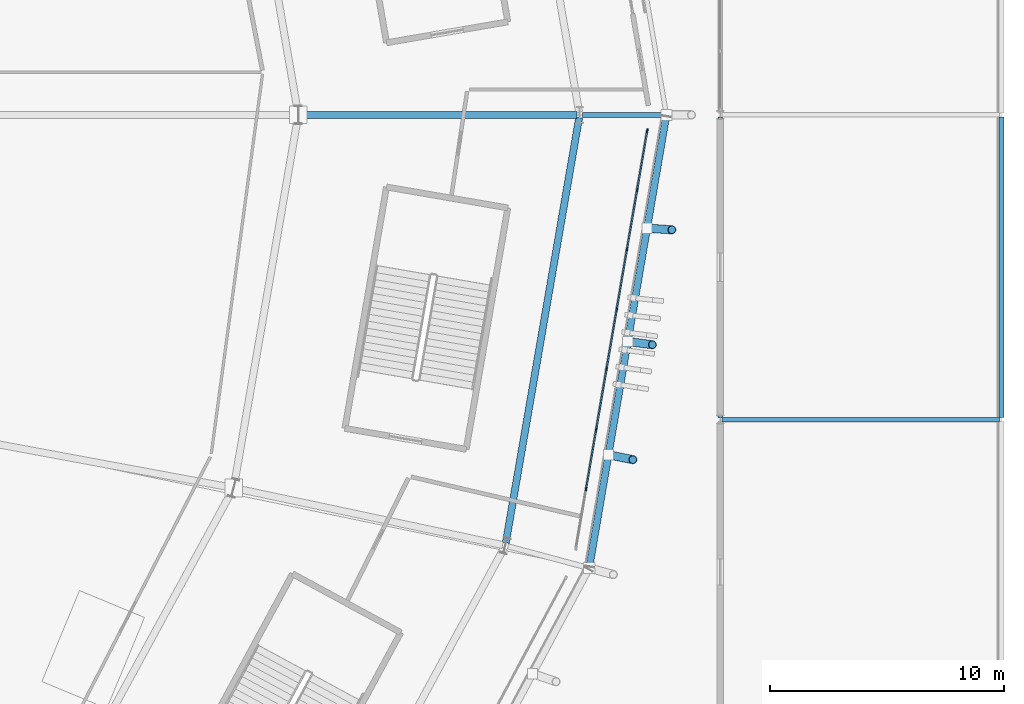
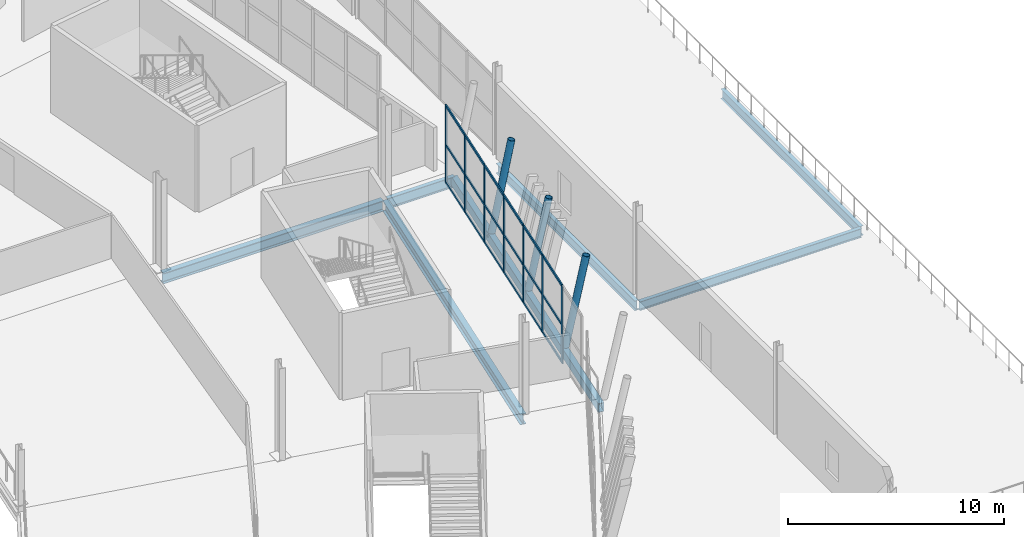
# One storey, part 59 of 168: 28 members, 7 beams, 1 element without a shape of its own.
"""IFC4 building model written with IfcOpenShell, lengths in metres."""

from ifc_helpers import new_model, si_unit, direction, frame, origin, origin_2d, place, context, subcontext, project, spatial, rectangle, hollow_rectangle, hollow_circle, i_section, extrude, material, material_profile, profile_set, type_object, element, aggregate, save


model = new_model("IFC4")

# Units and contexts
model_context = context("Model", 3, precision=1e-05, world=origin(), true_north=direction((0.0, 1.0)))
body_context = subcontext(model_context, "Body", "Model", "MODEL_VIEW")
ifc_project = project(units=[si_unit("LENGTHUNIT", "METRE"), si_unit("AREAUNIT", "SQUARE_METRE"), si_unit("VOLUMEUNIT", "CUBIC_METRE"), si_unit("PLANEANGLEUNIT", "RADIAN"), si_unit("MASSUNIT", "GRAM", prefix="KILO")], contexts=[model_context])

# Site, building, storey
site_placement = place(None, origin())
site = spatial("IfcSite", under=ifc_project, at=site_placement, CompositionType="ELEMENT")
building_placement = place(site_placement, origin())
building = spatial("IfcBuilding", under=site, at=building_placement, Name="Zlatoyarsky Gate Stadium", CompositionType="ELEMENT")
storey_placement = place(building_placement, frame((0.0, 0.0, 15.60009765625)))
storey = spatial("IfcBuildingStorey", under=building, at=storey_placement, Name="L03", CompositionType="ELEMENT", Elevation=15.60009765625)

# Curtain wall, members
ifc_material_1 = material(Name="Thermally broken anodised aluminium curtain wall", Category="aluminium")
curtain_wall_type = type_object("IfcCurtainWallType", Name="UNITISED CORPORATE BOX GLAZING L03", PredefinedType="USERDEFINED", material=ifc_material_1)
curtain_wall_placement = place(storey_placement, origin())
curtain_wall = element("IfcCurtainWall", 1, at=curtain_wall_placement, inside=storey, type_object=curtain_wall_type, Name="Curtain wall CW-L03-23", ObjectType="UNITISED GLAZING", PredefinedType="USERDEFINED")
ifc_material_2 = material(Name="Anodised aluminium 6063-T6", Category="aluminium")
ifc_material_profile_1 = material_profile(ifc_material_2, rectangle(XDim=0.06494140625, YDim=0.159912109375, at=origin_2d()), Name="ALU 65X160")
ifc_profile_set_1 = profile_set([ifc_material_profile_1], Name="Anodised aluminium 6063-T6")
member_type_1 = type_object("IfcMemberType", Name="ALUMINIUM MULLION 65X160", PredefinedType="MULLION", material=ifc_profile_set_1)
member_1_placement = place(storey_placement, frame((204.2763671875, 64.04052734375, 0.0), z_axis=(0.0, 0.0, 1.0), x_axis=(-0.985726202408, 0.168356330104, 0.0)))
member_1 = element("IfcMember", 2, at=member_1_placement, type_object=member_type_1, Name="CW-UG3 mullion 2", PredefinedType="MULLION", context=body_context, shape_type="SweptSolid", body=[
    extrude(rectangle(XDim=0.06494140625, YDim=0.159912109375, at=origin_2d()), origin(), (0.0, 0.0, 1.0), 4.3798828125),
])
member_2_placement = place(storey_placement, frame((204.71240234375, 66.59375, 0.0), z_axis=(0.0, 0.0, 1.0), x_axis=(-0.985726202408, 0.168356330104, 0.0)))
member_2 = element("IfcMember", 3, at=member_2_placement, type_object=member_type_1, Name="CW-UG3 mullion 3", PredefinedType="MULLION", context=body_context, shape_type="SweptSolid", body=[
    extrude(rectangle(XDim=0.06494140625, YDim=0.159912109375, at=origin_2d()), origin(), (0.0, 0.0, 1.0), 4.3798828125),
])
member_3_placement = place(storey_placement, frame((205.148681640625, 69.146728515625, 0.0), z_axis=(0.0, 0.0, 1.0), x_axis=(-0.985726202408, 0.168356330104, 0.0)))
member_3 = element("IfcMember", 4, at=member_3_placement, type_object=member_type_1, Name="CW-UG3 mullion 4", PredefinedType="MULLION", context=body_context, shape_type="SweptSolid", body=[
    extrude(rectangle(XDim=0.06494140625, YDim=0.159912109375, at=origin_2d()), origin(), (0.0, 0.0, 1.0), 4.3798828125),
])
member_4_placement = place(storey_placement, frame((205.584716796875, 71.699951171875, 0.0), z_axis=(0.0, 0.0, 1.0), x_axis=(-0.985726202408, 0.168356330104, 0.0)))
member_4 = element("IfcMember", 5, at=member_4_placement, type_object=member_type_1, Name="CW-UG3 mullion 5", PredefinedType="MULLION", context=body_context, shape_type="SweptSolid", body=[
    extrude(rectangle(XDim=0.06494140625, YDim=0.159912109375, at=origin_2d()), origin(), (0.0, 0.0, 1.0), 4.3798828125),
])
member_5_placement = place(storey_placement, frame((206.020751953125, 74.253173828125, 0.0), z_axis=(0.0, 0.0, 1.0), x_axis=(-0.985726202408, 0.168356330104, 0.0)))
member_5 = element("IfcMember", 6, at=member_5_placement, type_object=member_type_1, Name="CW-UG3 mullion 6", PredefinedType="MULLION", context=body_context, shape_type="SweptSolid", body=[
    extrude(rectangle(XDim=0.06494140625, YDim=0.159912109375, at=origin_2d()), origin(), (0.0, 0.0, 1.0), 4.3798828125),
])
member_6_placement = place(storey_placement, frame((206.456787109375, 76.80615234375, 0.0), z_axis=(0.0, 0.0, 1.0), x_axis=(-0.985726202408, 0.168356330104, 0.0)))
member_6 = element("IfcMember", 7, at=member_6_placement, type_object=member_type_1, Name="CW-UG3 mullion 7", PredefinedType="MULLION", context=body_context, shape_type="SweptSolid", body=[
    extrude(rectangle(XDim=0.06494140625, YDim=0.159912109375, at=origin_2d()), origin(), (0.0, 0.0, 1.0), 4.3798828125),
])
member_7_placement = place(storey_placement, frame((206.88720703125, 79.3271484375, 0.0), z_axis=(0.0, 0.0, 1.0), x_axis=(-0.985726202408, 0.168356330104, 0.0)))
member_7 = element("IfcMember", 8, at=member_7_placement, type_object=member_type_1, Name="CW-UG3 mullion 8", PredefinedType="MULLION", context=body_context, shape_type="SweptSolid", body=[
    extrude(rectangle(XDim=0.06494140625, YDim=0.159912109375, at=origin_2d()), origin(), (0.0, 0.0, 1.0), 4.3798828125),
])
ifc_material_profile_2 = material_profile(ifc_material_2, rectangle(XDim=0.06494140625, YDim=0.139892578125, at=origin_2d()), Name="ALU 65X140")
ifc_profile_set_2 = profile_set([ifc_material_profile_2], Name="Anodised aluminium 6063-T6")
member_type_2 = type_object("IfcMemberType", Name="ALUMINIUM TRANSOM 65X140", PredefinedType="USERDEFINED", material=ifc_profile_set_2)
member_8_placement = place(storey_placement, frame((204.281982421875, 64.07275390625, 0.032470703125), z_axis=(0.168333125822, 0.985730165284, 0.0), x_axis=(-0.985730165284, 0.168333125822, 0.0)))
member_8 = element("IfcMember", 9, at=member_8_placement, type_object=member_type_2, Name="CW-UG3 transom 2.1", ObjectType="TRANSOM", PredefinedType="USERDEFINED", context=body_context, shape_type="SweptSolid", body=[
    extrude(rectangle(XDim=0.06494140625, YDim=0.139892578125, at=origin_2d()), origin(), (0.0, 0.0, 1.0), 2.525146484375),
])
member_9_placement = place(storey_placement, frame((204.281982421875, 64.07275390625, 2.14990234375), z_axis=(0.168333125822, 0.985730165284, 0.0), x_axis=(-0.985730165284, 0.168333125822, 0.0)))
member_9 = element("IfcMember", 10, at=member_9_placement, type_object=member_type_2, Name="CW-UG3 transom 2.2", ObjectType="TRANSOM", PredefinedType="USERDEFINED", context=body_context, shape_type="SweptSolid", body=[
    extrude(rectangle(XDim=0.06494140625, YDim=0.139892578125, at=origin_2d()), origin(), (0.0, 0.0, 1.0), 2.525146484375),
])
member_10_placement = place(storey_placement, frame((204.281982421875, 64.07275390625, 4.347412109375), z_axis=(0.168333125822, 0.985730165284, 0.0), x_axis=(-0.985730165284, 0.168333125822, 0.0)))
member_10 = element("IfcMember", 11, at=member_10_placement, type_object=member_type_2, Name="CW-UG3 transom 2.3", ObjectType="TRANSOM", PredefinedType="USERDEFINED", context=body_context, shape_type="SweptSolid", body=[
    extrude(rectangle(XDim=0.06494140625, YDim=0.139892578125, at=origin_2d()), origin(), (0.0, 0.0, 1.0), 2.525146484375),
])
member_11_placement = place(storey_placement, frame((204.718017578125, 66.625732421875, 0.032470703125), z_axis=(0.168333125822, 0.985730165284, 0.0), x_axis=(-0.985730165284, 0.168333125822, 0.0)))
member_11 = element("IfcMember", 12, at=member_11_placement, type_object=member_type_2, Name="CW-UG3 transom 3.1", ObjectType="TRANSOM", PredefinedType="USERDEFINED", context=body_context, shape_type="SweptSolid", body=[
    extrude(rectangle(XDim=0.06494140625, YDim=0.139892578125, at=origin_2d()), origin(), (0.0, 0.0, 1.0), 2.525146484375),
])
member_12_placement = place(storey_placement, frame((204.718017578125, 66.625732421875, 2.14990234375), z_axis=(0.168333125822, 0.985730165284, 0.0), x_axis=(-0.985730165284, 0.168333125822, 0.0)))
member_12 = element("IfcMember", 13, at=member_12_placement, type_object=member_type_2, Name="CW-UG3 transom 3.2", ObjectType="TRANSOM", PredefinedType="USERDEFINED", context=body_context, shape_type="SweptSolid", body=[
    extrude(rectangle(XDim=0.06494140625, YDim=0.139892578125, at=origin_2d()), origin(), (0.0, 0.0, 1.0), 2.525146484375),
])
member_13_placement = place(storey_placement, frame((204.718017578125, 66.625732421875, 4.347412109375), z_axis=(0.168333125822, 0.985730165284, 0.0), x_axis=(-0.985730165284, 0.168333125822, 0.0)))
member_13 = element("IfcMember", 14, at=member_13_placement, type_object=member_type_2, Name="CW-UG3 transom 3.3", ObjectType="TRANSOM", PredefinedType="USERDEFINED", context=body_context, shape_type="SweptSolid", body=[
    extrude(rectangle(XDim=0.06494140625, YDim=0.139892578125, at=origin_2d()), origin(), (0.0, 0.0, 1.0), 2.525146484375),
])
member_14_placement = place(storey_placement, frame((205.154052734375, 69.178955078125, 0.032470703125), z_axis=(0.168333125822, 0.985730165284, 0.0), x_axis=(-0.985730165284, 0.168333125822, 0.0)))
member_14 = element("IfcMember", 15, at=member_14_placement, type_object=member_type_2, Name="CW-UG3 transom 4.1", ObjectType="TRANSOM", PredefinedType="USERDEFINED", context=body_context, shape_type="SweptSolid", body=[
    extrude(rectangle(XDim=0.06494140625, YDim=0.139892578125, at=origin_2d()), origin(), (0.0, 0.0, 1.0), 2.525146484375),
])
member_15_placement = place(storey_placement, frame((205.154052734375, 69.178955078125, 2.14990234375), z_axis=(0.168333125822, 0.985730165284, 0.0), x_axis=(-0.985730165284, 0.168333125822, 0.0)))
member_15 = element("IfcMember", 16, at=member_15_placement, type_object=member_type_2, Name="CW-UG3 transom 4.2", ObjectType="TRANSOM", PredefinedType="USERDEFINED", context=body_context, shape_type="SweptSolid", body=[
    extrude(rectangle(XDim=0.06494140625, YDim=0.139892578125, at=origin_2d()), origin(), (0.0, 0.0, 1.0), 2.525146484375),
])
member_16_placement = place(storey_placement, frame((205.154052734375, 69.178955078125, 4.347412109375), z_axis=(0.168333125822, 0.985730165284, 0.0), x_axis=(-0.985730165284, 0.168333125822, 0.0)))
member_16 = element("IfcMember", 17, at=member_16_placement, type_object=member_type_2, Name="CW-UG3 transom 4.3", ObjectType="TRANSOM", PredefinedType="USERDEFINED", context=body_context, shape_type="SweptSolid", body=[
    extrude(rectangle(XDim=0.06494140625, YDim=0.139892578125, at=origin_2d()), origin(), (0.0, 0.0, 1.0), 2.525146484375),
])
member_17_placement = place(storey_placement, frame((205.590087890625, 71.73193359375, 0.032470703125), z_axis=(0.168333125822, 0.985730165284, 0.0), x_axis=(-0.985730165284, 0.168333125822, 0.0)))
member_17 = element("IfcMember", 18, at=member_17_placement, type_object=member_type_2, Name="CW-UG3 transom 5.1", ObjectType="TRANSOM", PredefinedType="USERDEFINED", context=body_context, shape_type="SweptSolid", body=[
    extrude(rectangle(XDim=0.06494140625, YDim=0.139892578125, at=origin_2d()), origin(), (0.0, 0.0, 1.0), 2.525146484375),
])
member_18_placement = place(storey_placement, frame((205.590087890625, 71.73193359375, 2.14990234375), z_axis=(0.168333125822, 0.985730165284, 0.0), x_axis=(-0.985730165284, 0.168333125822, 0.0)))
member_18 = element("IfcMember", 19, at=member_18_placement, type_object=member_type_2, Name="CW-UG3 transom 5.2", ObjectType="TRANSOM", PredefinedType="USERDEFINED", context=body_context, shape_type="SweptSolid", body=[
    extrude(rectangle(XDim=0.06494140625, YDim=0.139892578125, at=origin_2d()), origin(), (0.0, 0.0, 1.0), 2.525146484375),
])
member_19_placement = place(storey_placement, frame((205.590087890625, 71.73193359375, 4.347412109375), z_axis=(0.168333125822, 0.985730165284, 0.0), x_axis=(-0.985730165284, 0.168333125822, 0.0)))
member_19 = element("IfcMember", 20, at=member_19_placement, type_object=member_type_2, Name="CW-UG3 transom 5.3", ObjectType="TRANSOM", PredefinedType="USERDEFINED", context=body_context, shape_type="SweptSolid", body=[
    extrude(rectangle(XDim=0.06494140625, YDim=0.139892578125, at=origin_2d()), origin(), (0.0, 0.0, 1.0), 2.525146484375),
])
member_20_placement = place(storey_placement, frame((206.026123046875, 74.28515625, 0.032470703125), z_axis=(0.168333125822, 0.985730165284, 0.0), x_axis=(-0.985730165284, 0.168333125822, 0.0)))
member_20 = element("IfcMember", 21, at=member_20_placement, type_object=member_type_2, Name="CW-UG3 transom 6.1", ObjectType="TRANSOM", PredefinedType="USERDEFINED", context=body_context, shape_type="SweptSolid", body=[
    extrude(rectangle(XDim=0.06494140625, YDim=0.139892578125, at=origin_2d()), origin(), (0.0, 0.0, 1.0), 2.525146484375),
])
member_21_placement = place(storey_placement, frame((206.026123046875, 74.28515625, 2.14990234375), z_axis=(0.168333125822, 0.985730165284, 0.0), x_axis=(-0.985730165284, 0.168333125822, 0.0)))
member_21 = element("IfcMember", 22, at=member_21_placement, type_object=member_type_2, Name="CW-UG3 transom 6.2", ObjectType="TRANSOM", PredefinedType="USERDEFINED", context=body_context, shape_type="SweptSolid", body=[
    extrude(rectangle(XDim=0.06494140625, YDim=0.139892578125, at=origin_2d()), origin(), (0.0, 0.0, 1.0), 2.525146484375),
])
member_22_placement = place(storey_placement, frame((206.026123046875, 74.28515625, 4.347412109375), z_axis=(0.168333125822, 0.985730165284, 0.0), x_axis=(-0.985730165284, 0.168333125822, 0.0)))
member_22 = element("IfcMember", 23, at=member_22_placement, type_object=member_type_2, Name="CW-UG3 transom 6.3", ObjectType="TRANSOM", PredefinedType="USERDEFINED", context=body_context, shape_type="SweptSolid", body=[
    extrude(rectangle(XDim=0.06494140625, YDim=0.139892578125, at=origin_2d()), origin(), (0.0, 0.0, 1.0), 2.525146484375),
])
member_23_placement = place(storey_placement, frame((206.462158203125, 76.838134765625, 0.032470703125), z_axis=(0.168368421293, 0.985724137227, 0.0), x_axis=(-0.985724137227, 0.168368421293, 0.0)))
member_23 = element("IfcMember", 24, at=member_23_placement, type_object=member_type_2, Name="CW-UG3 transom 7.1", ObjectType="TRANSOM", PredefinedType="USERDEFINED", context=body_context, shape_type="SweptSolid", body=[
    extrude(rectangle(XDim=0.06494140625, YDim=0.139892578125, at=origin_2d()), origin(), (0.0, 0.0, 1.0), 2.49267578125),
])
member_24_placement = place(storey_placement, frame((206.462158203125, 76.838134765625, 2.14990234375), z_axis=(0.168368421293, 0.985724137227, 0.0), x_axis=(-0.985724137227, 0.168368421293, 0.0)))
member_24 = element("IfcMember", 25, at=member_24_placement, type_object=member_type_2, Name="CW-UG3 transom 7.2", ObjectType="TRANSOM", PredefinedType="USERDEFINED", context=body_context, shape_type="SweptSolid", body=[
    extrude(rectangle(XDim=0.06494140625, YDim=0.139892578125, at=origin_2d()), origin(), (0.0, 0.0, 1.0), 2.49267578125),
])
member_25_placement = place(storey_placement, frame((206.462158203125, 76.838134765625, 4.347412109375), z_axis=(0.168368421293, 0.985724137227, 0.0), x_axis=(-0.985724137227, 0.168368421293, 0.0)))
member_25 = element("IfcMember", 26, at=member_25_placement, type_object=member_type_2, Name="CW-UG3 transom 7.3", ObjectType="TRANSOM", PredefinedType="USERDEFINED", context=body_context, shape_type="SweptSolid", body=[
    extrude(rectangle(XDim=0.06494140625, YDim=0.139892578125, at=origin_2d()), origin(), (0.0, 0.0, 1.0), 2.49267578125),
])
aggregate(curtain_wall, [member_1, member_2, member_3, member_4, member_5, member_6, member_7, member_8, member_9, member_10, member_11, member_12, member_13, member_14, member_15, member_16, member_17, member_18, member_19, member_20, member_21, member_22, member_23, member_24, member_25])

# Beams
ifc_material_3 = material(Name="Steel S355", Category="steel")
ifc_material_profile_3 = material_profile(ifc_material_3, i_section(OverallWidth=0.219970703125, OverallDepth=0.60009765625, WebThickness=0.011962890625, FlangeThickness=0.01904296875, FilletRadius=0.02392578125, at=origin_2d()), Name="IPE 600")
ifc_profile_set_3 = profile_set([ifc_material_profile_3], Name="Steel S355")
beam_type_1 = type_object("IfcBeamType", Name="STEEL CANTILEVER FLOOR BEAM IPE 600", PredefinedType="BEAM", material=ifc_profile_set_3)
beam_1_placement = place(storey_placement, frame((204.1201171875, 80.0, -0.580078125), z_axis=(1.0, 0.0, 0.0), x_axis=(0.0, 1.0, 0.0)))
element("IfcBeam", 27, at=beam_1_placement, inside=storey, type_object=beam_type_1, Name="Beam B-IPE600 BM-L03-OUT-00", PredefinedType="BEAM", context=body_context, shape_type="SweptSolid", body=[
    extrude(i_section(OverallWidth=0.219970703125, OverallDepth=0.60009765625, WebThickness=0.011962890625, FlangeThickness=0.01904296875, FilletRadius=0.02392578125, at=origin_2d()), origin(), (0.0, 0.0, 1.0), 3.58203125),
])
ifc_material_profile_4 = material_profile(ifc_material_3, i_section(OverallWidth=0.199951171875, OverallDepth=0.5, WebThickness=0.01025390625, FlangeThickness=0.01611328125, FilletRadius=0.02099609375, at=origin_2d()), Name="IPE 500")
ifc_profile_set_4 = profile_set([ifc_material_profile_4], Name="Steel S355")
beam_type_2 = type_object("IfcBeamType", Name="STEEL FLOOR BEAM IPE 500", PredefinedType="BEAM", material=ifc_profile_set_4)
beam_2_placement = place(storey_placement, frame((210.080078125, 67.0, -0.570068359375), z_axis=(1.0, 0.0, 0.0), x_axis=(0.0, 1.0, 0.0)))
element("IfcBeam", 28, at=beam_2_placement, inside=storey, type_object=beam_type_2, Name="Beam B-IPE500 BM-L03-WGX-18-G", PredefinedType="BEAM", context=body_context, shape_type="SweptSolid", body=[
    extrude(i_section(OverallWidth=0.199951171875, OverallDepth=0.5, WebThickness=0.01025390625, FlangeThickness=0.01611328125, FilletRadius=0.02099609375, at=origin_2d()), origin(), (0.0, 0.0, 1.0), 11.83984375),
])
ifc_material_profile_5 = material_profile(ifc_material_3, i_section(OverallWidth=0.2099609375, OverallDepth=0.550048828125, WebThickness=0.010986328125, FlangeThickness=0.01708984375, FilletRadius=0.02392578125, at=origin_2d()), Name="IPE 550")
ifc_profile_set_5 = profile_set([ifc_material_profile_5], Name="Steel S355")
beam_type_3 = type_object("IfcBeamType", Name="STEEL FLOOR BEAM IPE 550", PredefinedType="BEAM", material=ifc_profile_set_5)
for number, where, z_axis, x_axis, name in (
    (29, (210.0, 67.080078125, -0.59521484375), (0.0, 1.0, 0.0), (-1.0, 0.0, 0.0), "Beam B-IPE550 BM-L03-WGY-18-G"),
    (30, (222.0, 67.080078125, -0.59521484375), (0.0, 1.0, 0.0), (-1.0, 0.0, 0.0), "Beam B-IPE550 BM-L03-WGY-19-G"),
):
    element("IfcBeam", number, at=place(storey_placement, frame(where, z_axis=z_axis, x_axis=x_axis)), inside=storey, type_object=beam_type_3, Name=name, PredefinedType="BEAM", context=body_context, shape_type="SweptSolid", body=[
        extrude(i_section(OverallWidth=0.2099609375, OverallDepth=0.550048828125, WebThickness=0.010986328125, FlangeThickness=0.01708984375, FilletRadius=0.02392578125, at=origin_2d()), origin(), (0.0, 0.0, 1.0), 12.83984375),
    ])

# Members
ifc_material_profile_6 = material_profile(ifc_material_3, hollow_circle(Radius=0.177734375, WallThickness=0.02001953125, at=origin_2d()), Name="CHS 355.6X20")
ifc_profile_set_6 = profile_set([ifc_material_profile_6], Name="Steel S355")
member_type_3 = type_object("IfcMemberType", Name="STEEL LEANING RIB RING STRUT CHS 355.6X20", PredefinedType="STRUT", material=ifc_profile_set_6)
member_26_placement = place(storey_placement, frame((205.23095703125, 65.499267578125, -0.530029296875), z_axis=(0.196702339053, -0.039201945037, 0.979679231849), x_axis=(0.195452010217, 0.980713266813, 0.0)))
element("IfcMember", 31, at=member_26_placement, inside=storey, type_object=member_type_3, Name="Outward-leaning bowl louvre fin rib L03 23-1", PredefinedType="STRUT", context=body_context, shape_type="SweptSolid", body=[
    extrude(hollow_circle(Radius=0.177734375, WallThickness=0.02001953125, at=origin_2d()), origin(), (0.0, 0.0, 1.0), 5.287353515625),
])
member_27_placement = place(storey_placement, frame((206.0546875, 70.332763671875, -0.530029296875), z_axis=(0.198472880854, -0.026136726515, 0.979757820633), x_axis=(0.130561919254, 0.991440157166, 0.0)))
element("IfcMember", 32, at=member_27_placement, inside=storey, type_object=member_type_3, Name="Outward-leaning bowl louvre fin rib L03 23-2", PredefinedType="STRUT", context=body_context, shape_type="SweptSolid", body=[
    extrude(hollow_circle(Radius=0.177734375, WallThickness=0.02001953125, at=origin_2d()), origin(), (0.0, 0.0, 1.0), 5.286865234375),
])
member_28_placement = place(storey_placement, frame((206.87841796875, 75.16650390625, -0.530029296875), z_axis=(0.200164573441, -0.013067260504, 0.979675145261), x_axis=(0.065143915527, 0.99787587919, 0.0)))
element("IfcMember", 33, at=member_28_placement, inside=storey, type_object=member_type_3, Name="Outward-leaning bowl louvre fin rib L03 23-3", PredefinedType="STRUT", context=body_context, shape_type="SweptSolid", body=[
    extrude(hollow_circle(Radius=0.177734375, WallThickness=0.02001953125, at=origin_2d()), origin(), (0.0, 0.0, 1.0), 5.287353515625),
])

# Beams
ifc_material_profile_7 = material_profile(ifc_material_3, hollow_rectangle(XDim=0.300048828125, YDim=0.5, WallThickness=0.02001953125, at=origin_2d()), Name="RHS 500X300X20")
ifc_profile_set_7 = profile_set([ifc_material_profile_7], Name="Steel S355")
beam_type_4 = type_object("IfcBeamType", Name="STEEL LOUVRE CARRIER SPANDREL RHS 500X300X20", PredefinedType="SPANDREL", material=ifc_profile_set_7)
beam_3_placement = place(storey_placement, frame((204.41064453125, 60.685302734375, -0.530029296875), z_axis=(0.167990203177, 0.985788664794, 0.0), x_axis=(-0.985788664794, 0.167990203177, 0.0)))
element("IfcBeam", 34, at=beam_3_placement, inside=storey, type_object=beam_type_4, Name="Beam SP-RHS500 BM-L03-SPD-23", PredefinedType="SPANDREL", context=body_context, shape_type="SweptSolid", body=[
    extrude(hollow_rectangle(XDim=0.300048828125, YDim=0.5, WallThickness=0.02001953125, at=origin_2d()), origin(), (0.0, 0.0, 1.0), 19.572998046875),
])
ifc_material_profile_8 = material_profile(ifc_material_3, i_section(OverallWidth=0.300048828125, OverallDepth=0.60009765625, WebThickness=0.015380859375, FlangeThickness=0.030029296875, FilletRadius=0.027099609375, at=origin_2d()), Name="HEB 600")
ifc_profile_set_8 = profile_set([ifc_material_profile_8], Name="Steel S355")
beam_type_5 = type_object("IfcBeamType", Name="STEEL PRIMARY GIRDER HEB 600", PredefinedType="BEAM", material=ifc_profile_set_8)
beam_4_placement = place(storey_placement, frame((192.1201171875, 80.0, -0.580078125), z_axis=(1.0, 0.0, 0.0), x_axis=(0.0, 1.0, 0.0)))
element("IfcBeam", 35, at=beam_4_placement, inside=storey, type_object=beam_type_5, Name="Beam G-HEB600 BM-L03-RBC-00", PredefinedType="BEAM", context=body_context, shape_type="SweptSolid", body=[
    extrude(i_section(OverallWidth=0.300048828125, OverallDepth=0.60009765625, WebThickness=0.015380859375, FlangeThickness=0.030029296875, FilletRadius=0.027099609375, at=origin_2d()), origin(), (0.0, 0.0, 1.0), 11.759765625),
])
beam_5_placement = place(storey_placement, frame((200.8515625, 61.7421875, -0.580078125), z_axis=(0.169930456666, 0.985456056807, 0.0), x_axis=(-0.985456056807, 0.169930456666, 0.0)))
element("IfcBeam", 36, at=beam_5_placement, inside=storey, type_object=beam_type_5, Name="Beam G-HEB600 BM-L03-CRC-23", PredefinedType="BEAM", context=body_context, shape_type="SweptSolid", body=[
    extrude(i_section(OverallWidth=0.300048828125, OverallDepth=0.60009765625, WebThickness=0.015380859375, FlangeThickness=0.030029296875, FilletRadius=0.027099609375, at=origin_2d()), origin(), (0.0, 0.0, 1.0), 18.4072265625),
])

save(model, "model.ifc")
